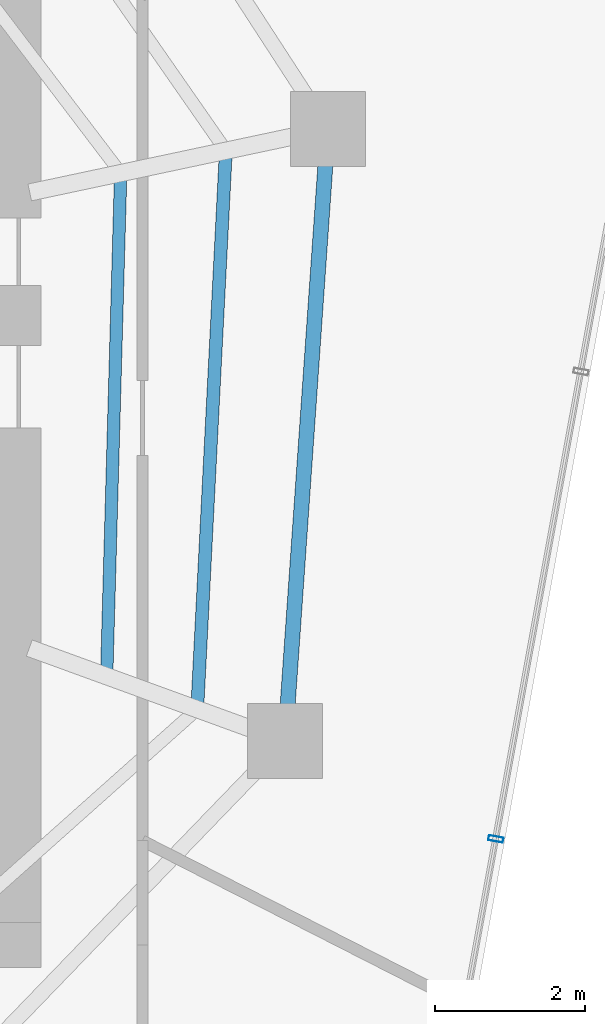
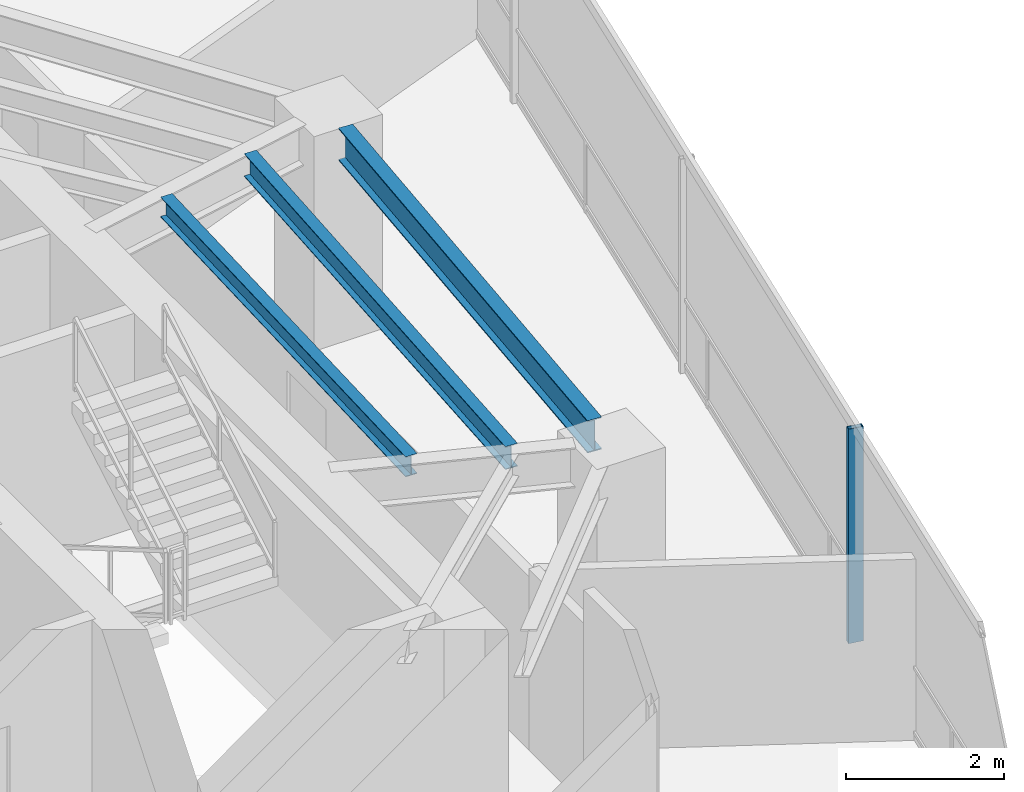
# One storey, part 9 of 21: 3 beams, 1 member, 1 element without a shape of its own.
"""IFC4 building model written with IfcOpenShell, lengths in metres."""

from ifc_helpers import new_model, si_unit, direction, frame, origin, origin_2d, place, context, subcontext, project, spatial, hollow_rectangle, i_section, extrude, material, layer, layer_set, material_profile, profile_set, type_object, element, aggregate, save


model = new_model("IFC4")

# Units and contexts
model_context = context("Model", 3, precision=1e-05, world=origin(), true_north=direction((0.0, 1.0)))
body_context = subcontext(model_context, "Body", "Model", "MODEL_VIEW")
ifc_project = project(units=[si_unit("LENGTHUNIT", "METRE"), si_unit("AREAUNIT", "SQUARE_METRE"), si_unit("VOLUMEUNIT", "CUBIC_METRE"), si_unit("PLANEANGLEUNIT", "RADIAN"), si_unit("MASSUNIT", "GRAM", prefix="KILO")], contexts=[model_context])

# Site, building, storey
site_placement = place(None, origin())
site = spatial("IfcSite", under=ifc_project, at=site_placement, CompositionType="ELEMENT")
building_placement = place(site_placement, origin())
building = spatial("IfcBuilding", under=site, at=building_placement, Name="Qarnah Convention Tower", CompositionType="ELEMENT")
storey_placement = place(building_placement, frame((0.0, 0.0, 140.10009765625)))
storey = spatial("IfcBuildingStorey", under=building, at=storey_placement, Name="L37", CompositionType="ELEMENT", Elevation=140.10009765625)

# Beams
ifc_material_1 = material(Name="Structural steel S355JR", Category="steel")
ifc_material_profile_1 = material_profile(ifc_material_1, i_section(OverallWidth=0.166015625, OverallDepth=0.31201171875, WebThickness=0.007080078125, FlangeThickness=0.010986328125, at=origin_2d()), Name="W310X45")
ifc_profile_set_1 = profile_set([ifc_material_profile_1], Name="Structural steel S355JR")
beam_type_1 = type_object("IfcBeamType", Name="BM-JST-W310", PredefinedType="JOIST", material=ifc_profile_set_1)
beam_1_placement = place(storey_placement, frame((48.77587890625, 22.278076171875, 3.163818359375), z_axis=(0.027875970867, 0.999611389615, 0.0), x_axis=(-0.999611389615, 0.027875970867, 0.0)))
element("IfcBeam", 1, at=beam_1_placement, inside=storey, type_object=beam_type_1, Name="L37 joist BM-L37-IJST-09", PredefinedType="JOIST", context=body_context, shape_type="SweptSolid", body=[
    extrude(i_section(OverallWidth=0.166015625, OverallDepth=0.31201171875, WebThickness=0.007080078125, FlangeThickness=0.010986328125, at=origin_2d()), origin(), (0.0, 0.0, 1.0), 6.533447265625),
])
ifc_material_profile_2 = material_profile(ifc_material_1, i_section(OverallWidth=0.172119140625, OverallDepth=0.35595703125, WebThickness=0.007080078125, FlangeThickness=0.011962890625, at=origin_2d()), Name="W360X51")
ifc_profile_set_2 = profile_set([ifc_material_profile_2], Name="Structural steel S355JR")
beam_type_2 = type_object("IfcBeamType", Name="BM-JST-W360", PredefinedType="JOIST", material=ifc_profile_set_2)
beam_2_placement = place(storey_placement, frame((49.986083984375, 21.837890625, 3.141845703125), z_axis=(0.051212178911, 0.998687795425, 0.0), x_axis=(-0.998687795425, 0.051212178911, 0.0)))
element("IfcBeam", 2, at=beam_2_placement, inside=storey, type_object=beam_type_2, Name="L37 joist BM-L37-SJST-09", PredefinedType="JOIST", context=body_context, shape_type="SweptSolid", body=[
    extrude(i_section(OverallWidth=0.172119140625, OverallDepth=0.35595703125, WebThickness=0.007080078125, FlangeThickness=0.011962890625, at=origin_2d()), origin(), (0.0, 0.0, 1.0), 7.279541015625),
])
ifc_material_profile_3 = material_profile(ifc_material_1, i_section(OverallWidth=0.199951171875, OverallDepth=0.5, WebThickness=0.010009765625, FlangeThickness=0.01611328125, at=origin_2d()), Name="IPE500")
ifc_profile_set_3 = profile_set([ifc_material_profile_3], Name="Structural steel S355JR")
beam_type_3 = type_object("IfcBeamType", Name="BM-SPN-IPE500", PredefinedType="SPANDREL", material=ifc_profile_set_3)
beam_3_placement = place(storey_placement, frame((51.18798828125, 21.81005859375, 3.06982421875), z_axis=(0.069797433651, 0.997561185219, 0.0), x_axis=(-0.997561185219, 0.069797433651, 0.0)))
element("IfcBeam", 3, at=beam_3_placement, inside=storey, type_object=beam_type_3, Name="L37 spandrel BM-L37-SPN-09", PredefinedType="SPANDREL", context=body_context, shape_type="SweptSolid", body=[
    extrude(i_section(OverallWidth=0.199951171875, OverallDepth=0.5, WebThickness=0.010009765625, FlangeThickness=0.01611328125, at=origin_2d()), origin(), (0.0, 0.0, 1.0), 7.20556640625),
])

# Curtain wall, member
ifc_material_2 = material(Name="Tempered Low-E dark glass", Category="glass")
ifc_layer = layer(ifc_material_2, 0.172119140625)
ifc_layer_set = layer_set([ifc_layer], Name="Tempered Low-E dark glass")
curtain_wall_type = type_object("IfcCurtainWallType", Name="CWS-03", PredefinedType="NOTDEFINED", material=ifc_layer_set)
curtain_wall_placement = place(storey_placement, origin())
curtain_wall = element("IfcCurtainWall", 4, at=curtain_wall_placement, inside=storey, type_object=curtain_wall_type, Name="L37 unitised curtain wall CW-L37-F1", PredefinedType="NOTDEFINED")
ifc_material_3 = material(Name="Black anodised aluminium", Category="aluminium")
ifc_material_profile_4 = material_profile(ifc_material_3, hollow_rectangle(XDim=0.070068359375, YDim=0.199951171875, WallThickness=0.0048828125, at=origin_2d()), Name="MUL-70X200")
ifc_profile_set_4 = profile_set([ifc_material_profile_4], Name="Black anodised aluminium")
member_type = type_object("IfcMemberType", Name="MUL-T3", PredefinedType="MULLION", material=ifc_profile_set_4)
member_placement = place(storey_placement, frame((53.966064453125, 20.01708984375, 0.0), z_axis=(0.0, 0.0, 1.0), x_axis=(-0.179132646464, -0.983824931058, 0.0)))
member = element("IfcMember", 5, at=member_placement, type_object=member_type, Name="CW-L37-F1 mullion 4", PredefinedType="MULLION", context=body_context, shape_type="SweptSolid", body=[
    extrude(hollow_rectangle(XDim=0.070068359375, YDim=0.199951171875, WallThickness=0.0048828125, at=origin_2d()), origin(), (0.0, 0.0, 1.0), 3.31982421875),
])
aggregate(curtain_wall, [member])

save(model, "model.ifc")
